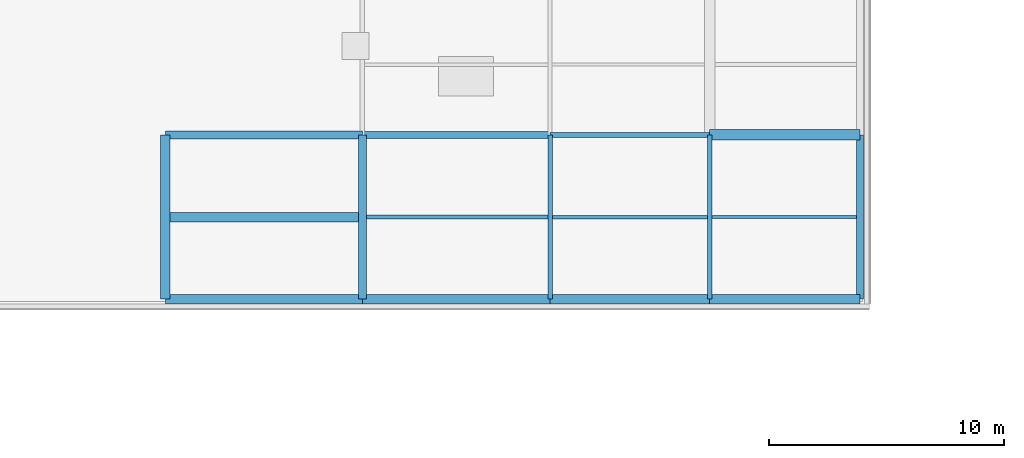
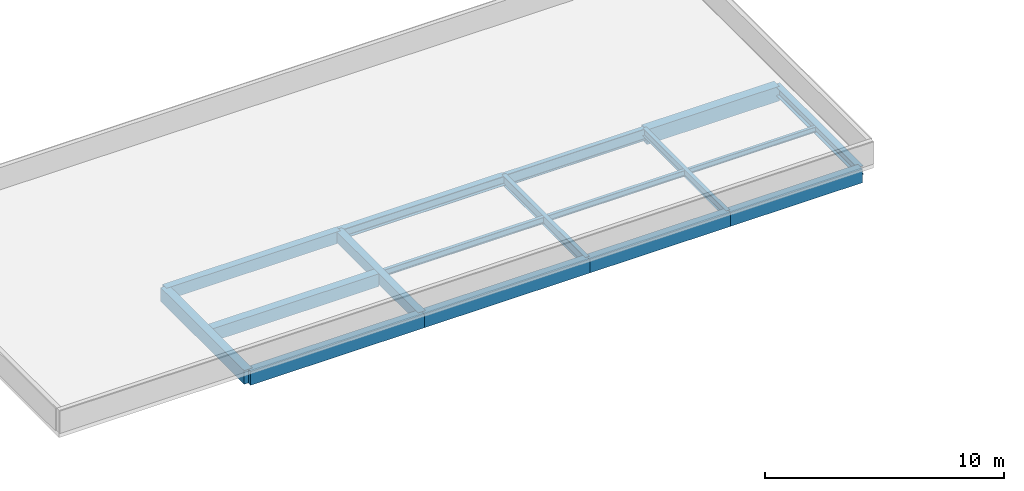
# One storey, part 19 of 48: 17 beams.
"""IFC4 building model written with IfcOpenShell, lengths in metres."""

from ifc_helpers import new_model, si_unit, direction, frame, origin, origin_2d, place, context, subcontext, project, spatial, rectangle, i_section, extrude, material, material_profile, profile_set, type_object, element, save


model = new_model("IFC4")

# Units and contexts
model_context = context("Model", 3, precision=1e-05, world=origin(), true_north=direction((0.0, 1.0)))
body_context = subcontext(model_context, "Body", "Model", "MODEL_VIEW")
ifc_project = project(units=[si_unit("LENGTHUNIT", "METRE"), si_unit("AREAUNIT", "SQUARE_METRE"), si_unit("VOLUMEUNIT", "CUBIC_METRE"), si_unit("PLANEANGLEUNIT", "RADIAN"), si_unit("MASSUNIT", "GRAM", prefix="KILO")], contexts=[model_context])

# Site, building, storey
site_placement = place(None, origin())
site = spatial("IfcSite", under=ifc_project, at=site_placement, CompositionType="ELEMENT")
building_placement = place(site_placement, origin())
building = spatial("IfcBuilding", under=site, at=building_placement, Name="Qalavern Law Courts", CompositionType="ELEMENT")
storey_placement = place(building_placement, frame((0.0, 0.0, 31.199951171875)))
storey = spatial("IfcBuildingStorey", under=building, at=storey_placement, Name="L07", CompositionType="ELEMENT", Elevation=31.199951171875)

# Beams
ifc_material_1 = material(Name="Steel S355", Category="steel")
ifc_material_profile_1 = material_profile(ifc_material_1, i_section(OverallWidth=0.300048828125, OverallDepth=0.489990234375, WebThickness=0.011962890625, FlangeThickness=0.02294921875, FilletRadius=0.027099609375, at=origin_2d()), Name="HEA 500")
ifc_profile_set_1 = profile_set([ifc_material_profile_1], Name="Steel S355")
beam_type_1 = type_object("IfcBeamType", Name="STR-BM-HEA500", PredefinedType="BEAM", material=ifc_profile_set_1)
beam_1_placement = place(storey_placement, frame((36.800048828125, 103.60009765625, -0.510009765625), z_axis=(1.0, 0.0, 0.0), x_axis=(0.0, 1.0, 0.0)))
element("IfcBeam", 1, at=beam_1_placement, inside=storey, type_object=beam_type_1, Name="V5 X-beam 2-2 L07", PredefinedType="BEAM", context=body_context, shape_type="SweptSolid", body=[
    extrude(i_section(OverallWidth=0.300048828125, OverallDepth=0.489990234375, WebThickness=0.011962890625, FlangeThickness=0.02294921875, FilletRadius=0.027099609375, at=origin_2d()), origin(), (0.0, 0.0, 1.0), 8.0),
])
ifc_material_profile_2 = material_profile(ifc_material_1, i_section(OverallWidth=0.179931640625, OverallDepth=0.39990234375, WebThickness=0.008544921875, FlangeThickness=0.013427734375, FilletRadius=0.02099609375, at=origin_2d()), Name="IPE 400")
ifc_profile_set_2 = profile_set([ifc_material_profile_2], Name="Steel S355")
beam_type_2 = type_object("IfcBeamType", Name="STR-BM-IPE400", PredefinedType="BEAM", material=ifc_profile_set_2)
beam_2_placement = place(storey_placement, frame((51.60009765625, 96.60009765625, -0.46484375), z_axis=(0.0, 1.0, 0.0), x_axis=(-1.0, 0.0, 0.0)))
element("IfcBeam", 2, at=beam_2_placement, inside=storey, type_object=beam_type_2, Name="V5 Y-beam 4-1 L07", PredefinedType="BEAM", context=body_context, shape_type="SweptSolid", body=[
    extrude(i_section(OverallWidth=0.179931640625, OverallDepth=0.39990234375, WebThickness=0.008544921875, FlangeThickness=0.013427734375, FilletRadius=0.02099609375, at=origin_2d()), origin(), (0.0, 0.0, 1.0), 7.0),
])
ifc_material_profile_3 = material_profile(ifc_material_1, i_section(OverallWidth=0.199951171875, OverallDepth=0.5, WebThickness=0.01025390625, FlangeThickness=0.01611328125, FilletRadius=0.02099609375, at=origin_2d()), Name="IPE 500")
ifc_profile_set_3 = profile_set([ifc_material_profile_3], Name="Steel S355")
beam_type_3 = type_object("IfcBeamType", Name="STR-BM-IPE500", PredefinedType="BEAM", material=ifc_profile_set_3)
beam_3_placement = place(storey_placement, frame((44.800048828125, 96.60009765625, -0.514892578125), z_axis=(0.0, 1.0, 0.0), x_axis=(-1.0, 0.0, 0.0)))
element("IfcBeam", 3, at=beam_3_placement, inside=storey, type_object=beam_type_3, Name="V5 Y-beam 3-1 L07", PredefinedType="BEAM", context=body_context, shape_type="SweptSolid", body=[
    extrude(i_section(OverallWidth=0.199951171875, OverallDepth=0.5, WebThickness=0.01025390625, FlangeThickness=0.01611328125, FilletRadius=0.02099609375, at=origin_2d()), origin(), (0.0, 0.0, 1.0), 7.0),
])
ifc_material_profile_4 = material_profile(ifc_material_1, i_section(OverallWidth=0.219970703125, OverallDepth=0.60009765625, WebThickness=0.011962890625, FlangeThickness=0.01904296875, FilletRadius=0.02392578125, at=origin_2d()), Name="IPE 600")
ifc_profile_set_4 = profile_set([ifc_material_profile_4], Name="Steel S355")
beam_type_4 = type_object("IfcBeamType", Name="STR-BM-IPE600", PredefinedType="BEAM", material=ifc_profile_set_4)
beam_4_placement = place(storey_placement, frame((44.800048828125, 103.60009765625, -0.56494140625), z_axis=(1.0, 0.0, 0.0), x_axis=(0.0, 1.0, 0.0)))
element("IfcBeam", 4, at=beam_4_placement, inside=storey, type_object=beam_type_4, Name="V5 X-beam 2-3 L07", PredefinedType="BEAM", context=body_context, shape_type="SweptSolid", body=[
    extrude(i_section(OverallWidth=0.219970703125, OverallDepth=0.60009765625, WebThickness=0.011962890625, FlangeThickness=0.01904296875, FilletRadius=0.02392578125, at=origin_2d()), origin(), (0.0, 0.0, 1.0), 6.800048828125),
])
ifc_material_2 = material(Name="Concrete C35/45", Category="concrete")
ifc_material_profile_5 = material_profile(ifc_material_2, rectangle(XDim=0.35009765625, YDim=0.550048828125, at=origin_2d()), Name="RC 350x550")
ifc_profile_set_5 = profile_set([ifc_material_profile_5], Name="Concrete C35/45")
beam_type_5 = type_object("IfcBeamType", Name="STR-BM-RC350x550", PredefinedType="BEAM", material=ifc_profile_set_5)
beam_5_placement = place(storey_placement, frame((36.800048828125, 96.60009765625, -0.5400390625), z_axis=(0.0, 1.0, 0.0), x_axis=(-1.0, 0.0, 0.0)))
element("IfcBeam", 5, at=beam_5_placement, inside=storey, type_object=beam_type_5, Name="V5 Y-beam 2-1 L07", PredefinedType="BEAM", context=body_context, shape_type="SweptSolid", body=[
    extrude(rectangle(XDim=0.35009765625, YDim=0.550048828125, at=origin_2d()), origin(), (0.0, 0.0, 1.0), 7.0),
])
ifc_material_profile_6 = material_profile(ifc_material_2, rectangle(XDim=0.35009765625, YDim=0.60009765625, at=origin_2d()), Name="RC 350x600")
ifc_profile_set_6 = profile_set([ifc_material_profile_6], Name="Concrete C35/45")
beam_type_6 = type_object("IfcBeamType", Name="STR-BM-RC350x600", PredefinedType="BEAM", material=ifc_profile_set_6)
beam_6_placement = place(storey_placement, frame((28.39990234375, 103.60009765625, -0.56494140625), z_axis=(1.0, 0.0, 0.0), x_axis=(0.0, 1.0, 0.0)))
element("IfcBeam", 6, at=beam_6_placement, inside=storey, type_object=beam_type_6, Name="V5 X-beam 2-1 L07", PredefinedType="BEAM", context=body_context, shape_type="SweptSolid", body=[
    extrude(rectangle(XDim=0.35009765625, YDim=0.60009765625, at=origin_2d()), origin(), (0.0, 0.0, 1.0), 8.400146484375),
])
ifc_material_3 = material(Name="Concrete C40/50", Category="concrete")
ifc_material_profile_7 = material_profile(ifc_material_3, rectangle(XDim=0.449951171875, YDim=0.75, at=origin_2d()), Name="RC 450x750")
ifc_profile_set_7 = profile_set([ifc_material_profile_7], Name="Concrete C40/50")
beam_type_7 = type_object("IfcBeamType", Name="STR-BM-RC450x750", PredefinedType="BEAM", material=ifc_profile_set_7)
beam_7_placement = place(storey_placement, frame((51.60009765625, 103.60009765625, -0.639892578125), z_axis=(1.0, 0.0, 0.0), x_axis=(0.0, 1.0, 0.0)))
element("IfcBeam", 7, at=beam_7_placement, inside=storey, type_object=beam_type_7, Name="V5 X-beam 2-4 L07", PredefinedType="BEAM", context=body_context, shape_type="SweptSolid", body=[
    extrude(rectangle(XDim=0.449951171875, YDim=0.75, at=origin_2d()), origin(), (0.0, 0.0, 1.0), 6.39990234375),
])
ifc_material_profile_8 = material_profile(ifc_material_1, i_section(OverallWidth=0.135009765625, OverallDepth=0.27001953125, WebThickness=0.006591796875, FlangeThickness=0.01025390625, FilletRadius=0.014892578125, at=origin_2d()), Name="IPE 270")
ifc_profile_set_8 = profile_set([ifc_material_profile_8], Name="Steel S355")
beam_type_8 = type_object("IfcBeamType", Name="STR-JST-IPE270", PredefinedType="JOIST", material=ifc_profile_set_8)
beam_8_placement = place(storey_placement, frame((51.68798828125, 100.10009765625, -0.39990234375), z_axis=(1.0, 0.0, 0.0), x_axis=(0.0, 1.0, 0.0)))
element("IfcBeam", 8, at=beam_8_placement, inside=storey, type_object=beam_type_8, Name="V5 secondary joist 4.1.1 L07", PredefinedType="JOIST", context=body_context, shape_type="SweptSolid", body=[
    extrude(i_section(OverallWidth=0.135009765625, OverallDepth=0.27001953125, WebThickness=0.006591796875, FlangeThickness=0.01025390625, FilletRadius=0.014892578125, at=origin_2d()), origin(), (0.0, 0.0, 1.0), 6.1640625),
])
ifc_material_profile_9 = material_profile(ifc_material_1, i_section(OverallWidth=0.14990234375, OverallDepth=0.300048828125, WebThickness=0.007080078125, FlangeThickness=0.0107421875, FilletRadius=0.014892578125, at=origin_2d()), Name="IPE 300")
ifc_profile_set_9 = profile_set([ifc_material_profile_9], Name="Steel S355")
beam_type_9 = type_object("IfcBeamType", Name="STR-JST-IPE300", PredefinedType="JOIST", material=ifc_profile_set_9)
beam_9_placement = place(storey_placement, frame((44.89794921875, 100.10009765625, -0.4150390625), z_axis=(1.0, 0.0, 0.0), x_axis=(0.0, 1.0, 0.0)))
element("IfcBeam", 9, at=beam_9_placement, inside=storey, type_object=beam_type_9, Name="V5 secondary joist 3.1.1 L07", PredefinedType="JOIST", context=body_context, shape_type="SweptSolid", body=[
    extrude(i_section(OverallWidth=0.14990234375, OverallDepth=0.300048828125, WebThickness=0.007080078125, FlangeThickness=0.0107421875, FilletRadius=0.014892578125, at=origin_2d()), origin(), (0.0, 0.0, 1.0), 6.614013671875),
])
ifc_material_profile_10 = material_profile(ifc_material_1, i_section(OverallWidth=0.159912109375, OverallDepth=0.330078125, WebThickness=0.007568359375, FlangeThickness=0.011474609375, FilletRadius=0.01806640625, at=origin_2d()), Name="IPE 330")
ifc_profile_set_10 = profile_set([ifc_material_profile_10], Name="Steel S355")
beam_type_10 = type_object("IfcBeamType", Name="STR-JST-IPE330", PredefinedType="JOIST", material=ifc_profile_set_10)
beam_10_placement = place(storey_placement, frame((36.972900390625, 100.10009765625, -0.429931640625), z_axis=(1.0, 0.0, 0.0), x_axis=(0.0, 1.0, 0.0)))
element("IfcBeam", 10, at=beam_10_placement, inside=storey, type_object=beam_type_10, Name="V5 secondary joist 2.1.1 L07", PredefinedType="JOIST", context=body_context, shape_type="SweptSolid", body=[
    extrude(i_section(OverallWidth=0.159912109375, OverallDepth=0.330078125, WebThickness=0.007568359375, FlangeThickness=0.011474609375, FilletRadius=0.01806640625, at=origin_2d()), origin(), (0.0, 0.0, 1.0), 7.72900390625),
])
ifc_material_profile_11 = material_profile(ifc_material_2, rectangle(XDim=0.39990234375, YDim=0.64990234375, at=origin_2d()), Name="RC 400x650")
ifc_profile_set_11 = profile_set([ifc_material_profile_11], Name="Concrete C35/45")
beam_type_11 = type_object("IfcBeamType", Name="STR-JST-RC400x650", PredefinedType="JOIST", material=ifc_profile_set_11)
beam_11_placement = place(storey_placement, frame((28.597900390625, 100.10009765625, -0.58984375), z_axis=(1.0, 0.0, 0.0), x_axis=(0.0, 1.0, 0.0)))
element("IfcBeam", 11, at=beam_11_placement, inside=storey, type_object=beam_type_11, Name="V5 secondary joist 1.1.1 L07", PredefinedType="JOIST", context=body_context, shape_type="SweptSolid", body=[
    extrude(rectangle(XDim=0.39990234375, YDim=0.64990234375, at=origin_2d()), origin(), (0.0, 0.0, 1.0), 8.029052734375),
])
ifc_material_profile_12 = material_profile(ifc_material_1, i_section(OverallWidth=0.300048828125, OverallDepth=0.449951171875, WebThickness=0.013916015625, FlangeThickness=0.02587890625, FilletRadius=0.027099609375, at=origin_2d()), Name="HEB 450")
ifc_profile_set_12 = profile_set([ifc_material_profile_12], Name="Steel S355")
beam_type_12 = type_object("IfcBeamType", Name="STR-SP-HEB450", PredefinedType="SPANDREL", material=ifc_profile_set_12)
beam_12_placement = place(storey_placement, frame((58.0, 96.60009765625, -0.489990234375), z_axis=(0.0, 1.0, 0.0), x_axis=(-1.0, 0.0, 0.0)))
element("IfcBeam", 12, at=beam_12_placement, inside=storey, type_object=beam_type_12, Name="V5 Y-beam 5-1 L07", PredefinedType="SPANDREL", context=body_context, shape_type="SweptSolid", body=[
    extrude(i_section(OverallWidth=0.300048828125, OverallDepth=0.449951171875, WebThickness=0.013916015625, FlangeThickness=0.02587890625, FilletRadius=0.027099609375, at=origin_2d()), origin(), (0.0, 0.0, 1.0), 7.0),
])
ifc_material_profile_13 = material_profile(ifc_material_3, rectangle(XDim=0.39990234375, YDim=0.699951171875, at=origin_2d()), Name="RC 400x700")
ifc_profile_set_13 = profile_set([ifc_material_profile_13], Name="Concrete C40/50")
beam_type_13 = type_object("IfcBeamType", Name="STR-SP-RC400x700", PredefinedType="SPANDREL", material=ifc_profile_set_13)
beam_13_placement = place(storey_placement, frame((28.39990234375, 96.60009765625, -0.614990234375), z_axis=(1.0, 0.0, 0.0), x_axis=(0.0, 1.0, 0.0)))
element("IfcBeam", 13, at=beam_13_placement, inside=storey, type_object=beam_type_13, Name="V5 X-beam 1-1 L07", PredefinedType="SPANDREL", context=body_context, shape_type="SweptSolid", body=[
    extrude(rectangle(XDim=0.39990234375, YDim=0.699951171875, at=origin_2d()), origin(), (0.0, 0.0, 1.0), 8.400146484375),
])
beam_14_placement = place(storey_placement, frame((36.800048828125, 96.60009765625, -0.614990234375), z_axis=(1.0, 0.0, 0.0), x_axis=(0.0, 1.0, 0.0)))
element("IfcBeam", 14, at=beam_14_placement, inside=storey, type_object=beam_type_13, Name="V5 X-beam 1-2 L07", PredefinedType="SPANDREL", context=body_context, shape_type="SweptSolid", body=[
    extrude(rectangle(XDim=0.39990234375, YDim=0.699951171875, at=origin_2d()), origin(), (0.0, 0.0, 1.0), 8.0),
])
beam_15_placement = place(storey_placement, frame((44.800048828125, 96.60009765625, -0.614990234375), z_axis=(1.0, 0.0, 0.0), x_axis=(0.0, 1.0, 0.0)))
element("IfcBeam", 15, at=beam_15_placement, inside=storey, type_object=beam_type_13, Name="V5 X-beam 1-3 L07", PredefinedType="SPANDREL", context=body_context, shape_type="SweptSolid", body=[
    extrude(rectangle(XDim=0.39990234375, YDim=0.699951171875, at=origin_2d()), origin(), (0.0, 0.0, 1.0), 6.800048828125),
])
beam_16_placement = place(storey_placement, frame((51.60009765625, 96.60009765625, -0.614990234375), z_axis=(1.0, 0.0, 0.0), x_axis=(0.0, 1.0, 0.0)))
element("IfcBeam", 16, at=beam_16_placement, inside=storey, type_object=beam_type_13, Name="V5 X-beam 1-4 L07", PredefinedType="SPANDREL", context=body_context, shape_type="SweptSolid", body=[
    extrude(rectangle(XDim=0.39990234375, YDim=0.699951171875, at=origin_2d()), origin(), (0.0, 0.0, 1.0), 6.39990234375),
])
beam_17_placement = place(storey_placement, frame((28.39990234375, 96.60009765625, -0.614990234375), z_axis=(0.0, 1.0, 0.0), x_axis=(-1.0, 0.0, 0.0)))
element("IfcBeam", 17, at=beam_17_placement, inside=storey, type_object=beam_type_13, Name="V5 Y-beam 1-1 L07", PredefinedType="SPANDREL", context=body_context, shape_type="SweptSolid", body=[
    extrude(rectangle(XDim=0.39990234375, YDim=0.699951171875, at=origin_2d()), origin(), (0.0, 0.0, 1.0), 7.0),
])

save(model, "model.ifc")
